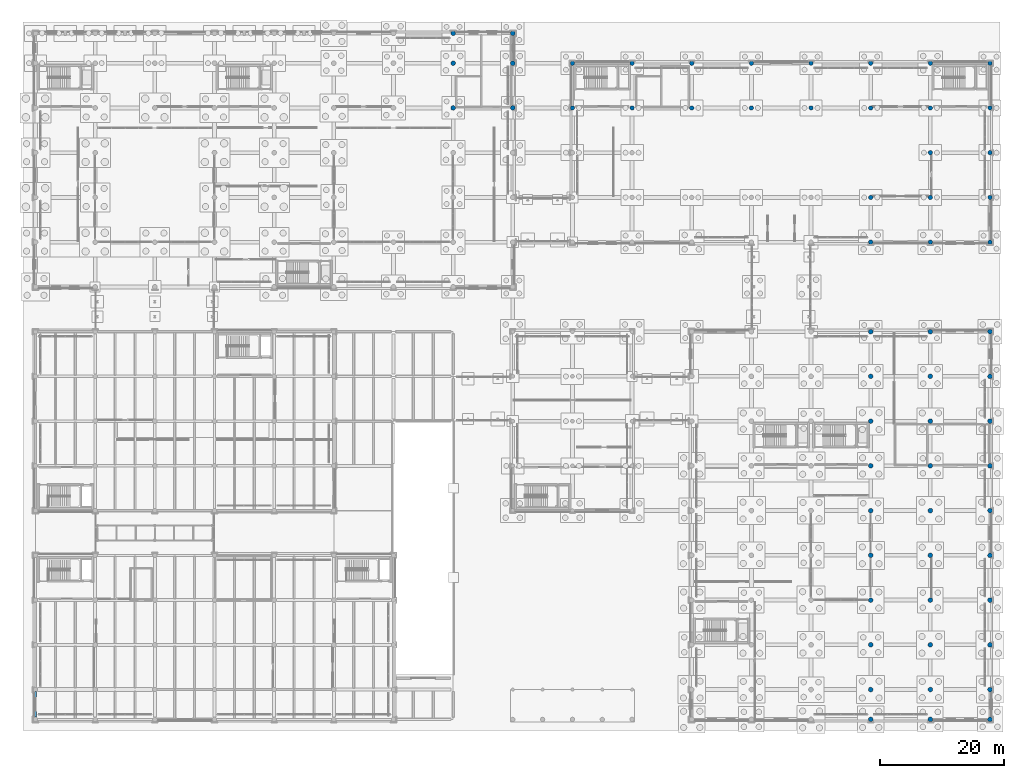
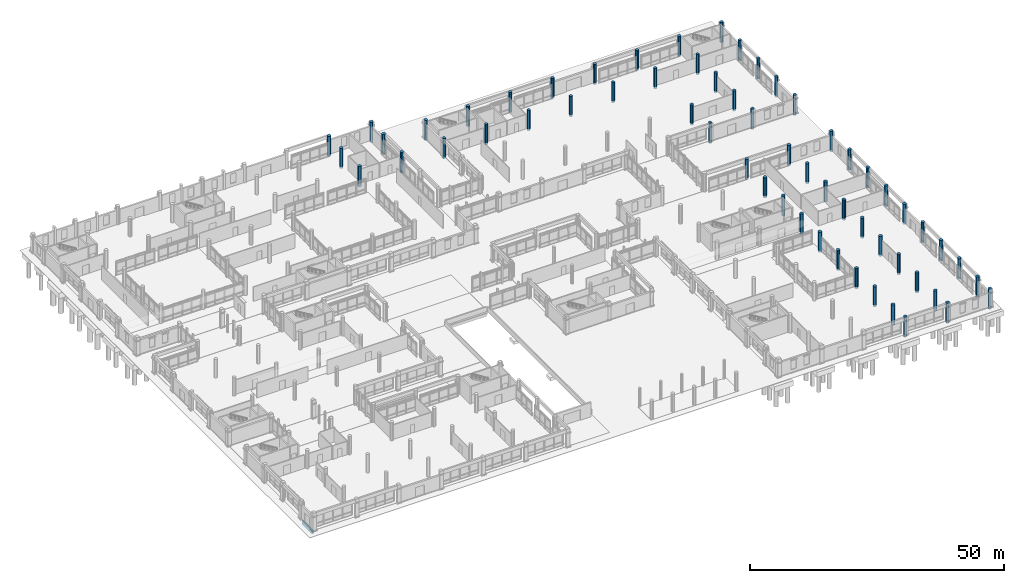
# One storey, part 20 of 196: 60 columns, 1 beam.
"""IFC4 building model written with IfcOpenShell, lengths in metres."""

from ifc_helpers import new_model, si_unit, direction, frame, origin, origin_2d, place, context, subcontext, project, spatial, rectangle, circle, extrude, material, material_profile, profile_set, type_object, element, save


model = new_model("IFC4")

# Units and contexts
model_context = context("Model", 3, precision=1e-05, world=origin(), true_north=direction((0.0, 1.0)))
body_context = subcontext(model_context, "Body", "Model", "MODEL_VIEW")
ifc_project = project(units=[si_unit("LENGTHUNIT", "METRE"), si_unit("AREAUNIT", "SQUARE_METRE"), si_unit("VOLUMEUNIT", "CUBIC_METRE"), si_unit("PLANEANGLEUNIT", "RADIAN"), si_unit("MASSUNIT", "GRAM", prefix="KILO")], contexts=[model_context])

# Site, building, storey
site_placement = place(None, origin())
site = spatial("IfcSite", under=ifc_project, at=site_placement, CompositionType="ELEMENT")
building_placement = place(site_placement, origin())
building = spatial("IfcBuilding", under=site, at=building_placement, Name="Asteropetra Specialist Clinic", CompositionType="ELEMENT")
storey_placement = place(building_placement, origin())
storey = spatial("IfcBuildingStorey", under=building, at=storey_placement, Name="L00", CompositionType="ELEMENT", Elevation=0.0)

# Columns
ifc_material_1 = material(Name="Concrete C35/45", Category="concrete")
ifc_material_profile_1 = material_profile(ifc_material_1, circle(Radius=0.35009765625, at=origin_2d()), Name="RCC D700")
ifc_profile_set_1 = profile_set([ifc_material_profile_1], Name="Concrete C35/45")
column_type_1 = type_object("IfcColumnType", Name="COL-DORIC700", PredefinedType="COLUMN", material=ifc_profile_set_1)
for number, where, z_axis, x_axis, name in (
    (1, (86.39990234375, 98.39990234375, -0.43994140625), (0.0, 0.0, 1.0), (1.0, 0.0, 0.0), "Column CCOL13-0605"),
    (2, (86.39990234375, 105.60009765625, -0.43994140625), (0.0, 0.0, 1.0), (1.0, 0.0, 0.0), "Column CCOL13-0606"),
    (3, (96.0, 98.39990234375, -0.43994140625), (0.0, 0.0, 1.0), (1.0, 0.0, 0.0), "Column CCOL13-0627"),
    (4, (96.0, 105.60009765625, -0.43994140625), (0.0, 0.0, 1.0), (1.0, 0.0, 0.0), "Column CCOL13-0628"),
    (5, (105.60009765625, 98.39990234375, -0.43994140625), (0.0, 0.0, 1.0), (1.0, 0.0, 0.0), "Column CCOL13-0681"),
    (6, (105.60009765625, 105.60009765625, -0.43994140625), (0.0, 0.0, 1.0), (1.0, 0.0, 0.0), "Column CCOL13-0682"),
    (7, (115.199951171875, 98.39990234375, -0.43994140625), (0.0, 0.0, 1.0), (1.0, 0.0, 0.0), "Column CCOL13-0731"),
    (8, (115.199951171875, 105.60009765625, -0.43994140625), (0.0, 0.0, 1.0), (1.0, 0.0, 0.0), "Column CCOL13-0732"),
    (9, (124.800048828125, 98.39990234375, -0.43994140625), (0.0, 0.0, 1.0), (1.0, 0.0, 0.0), "Column CCOL13-0793"),
    (10, (124.800048828125, 105.60009765625, -0.43994140625), (0.0, 0.0, 1.0), (1.0, 0.0, 0.0), "Column CCOL13-0794"),
    (11, (134.39990234375, 76.800048828125, -0.43994140625), (0.0, 0.0, 1.0), (1.0, 0.0, 0.0), "Column CCOL13-0840"),
    (12, (134.39990234375, 84.0, -0.43994140625), (0.0, 0.0, 1.0), (1.0, 0.0, 0.0), "Column CCOL13-0842"),
    (13, (134.39990234375, 98.39990234375, -0.43994140625), (0.0, 0.0, 1.0), (1.0, 0.0, 0.0), "Column CCOL13-0843"),
    (14, (134.39990234375, 105.60009765625, -0.43994140625), (0.0, 0.0, 1.0), (1.0, 0.0, 0.0), "Column CCOL13-0844"),
    (15, (144.0, 76.800048828125, -0.43994140625), (0.0, 0.0, 1.0), (1.0, 0.0, 0.0), "Column CCOL13-0882"),
    (16, (144.0, 84.0, -0.43994140625), (0.0, 0.0, 1.0), (1.0, 0.0, 0.0), "Column CCOL13-0884"),
    (17, (144.0, 91.199951171875, -0.43994140625), (0.0, 0.0, 1.0), (1.0, 0.0, 0.0), "Column CCOL13-0885"),
    (18, (144.0, 98.39990234375, -0.43994140625), (0.0, 0.0, 1.0), (1.0, 0.0, 0.0), "Column CCOL13-0886"),
    (19, (144.0, 105.60009765625, -0.43994140625), (0.0, 0.0, 1.0), (1.0, 0.0, 0.0), "Column CCOL13-0887"),
    (20, (153.60009765625, 76.800048828125, -0.43994140625), (0.0, 0.0, 1.0), (1.0, 0.0, 0.0), "Column CCOL13-0925"),
    (21, (153.60009765625, 84.0, -0.43994140625), (0.0, 0.0, 1.0), (1.0, 0.0, 0.0), "Column CCOL13-0927"),
    (22, (153.60009765625, 91.199951171875, -0.43994140625), (0.0, 0.0, 1.0), (1.0, 0.0, 0.0), "Column CCOL13-0928"),
    (23, (153.60009765625, 98.39990234375, -0.43994140625), (0.0, 0.0, 1.0), (1.0, 0.0, 0.0), "Column CCOL13-0929"),
    (24, (153.60009765625, 105.60009765625, -0.43994140625), (0.0, 0.0, 1.0), (1.0, 0.0, 0.0), "Column CCOL13-0930"),
):
    element("IfcColumn", number, at=place(storey_placement, frame(where, z_axis=z_axis, x_axis=x_axis)), inside=storey, type_object=column_type_1, Name=name, PredefinedType="COLUMN", context=body_context, shape_type="SweptSolid", body=[
        extrude(circle(Radius=0.35009765625, at=origin_2d()), origin(), (0.0, 0.0, 1.0), 4.85986328125),
    ])
ifc_material_2 = material(Name="Concrete C35/45", Category="concrete")
ifc_material_profile_2 = material_profile(ifc_material_2, circle(Radius=0.375, at=origin_2d()), Name="RCC D750")
ifc_profile_set_2 = profile_set([ifc_material_profile_2], Name="Concrete C35/45")
column_type_2 = type_object("IfcColumnType", Name="COL-DORIC750", PredefinedType="COLUMN", material=ifc_profile_set_2)
for number, where, z_axis, x_axis, name in (
    (25, (67.199951171875, 98.39990234375, -0.43994140625), (0.0, 0.0, 1.0), (1.0, 0.0, 0.0), "Column CCOL12-0543"),
    (26, (67.199951171875, 105.60009765625, -0.43994140625), (0.0, 0.0, 1.0), (1.0, 0.0, 0.0), "Column CCOL12-0545"),
    (27, (67.199951171875, 110.39990234375, -0.43994140625), (0.0, 0.0, 1.0), (1.0, 0.0, 0.0), "Column CCOL12-0547"),
    (28, (76.800048828125, 98.39990234375, -0.43994140625), (0.0, 0.0, 1.0), (1.0, 0.0, 0.0), "Column CCOL12-0572"),
    (29, (76.800048828125, 105.60009765625, -0.43994140625), (0.0, 0.0, 1.0), (1.0, 0.0, 0.0), "Column CCOL12-0574"),
    (30, (76.800048828125, 110.39990234375, -0.43994140625), (0.0, 0.0, 1.0), (1.0, 0.0, 0.0), "Column CCOL12-0576"),
    (31, (134.39990234375, 0.0, -0.43994140625), (0.0, 0.0, 1.0), (1.0, 0.0, 0.0), "Column CCOL12-0796"),
    (32, (134.39990234375, 4.800048828125, -0.43994140625), (0.0, 0.0, 1.0), (1.0, 0.0, 0.0), "Column CCOL12-0801"),
    (33, (134.39990234375, 12.0, -0.43994140625), (0.0, 0.0, 1.0), (1.0, 0.0, 0.0), "Column CCOL12-0806"),
    (34, (134.39990234375, 19.199951171875, -0.43994140625), (0.0, 0.0, 1.0), (1.0, 0.0, 0.0), "Column CCOL12-0811"),
    (35, (134.39990234375, 26.39990234375, -0.43994140625), (0.0, 0.0, 1.0), (1.0, 0.0, 0.0), "Column CCOL12-0816"),
    (36, (134.39990234375, 33.60009765625, -0.43994140625), (0.0, 0.0, 1.0), (1.0, 0.0, 0.0), "Column CCOL12-0821"),
    (37, (134.39990234375, 40.800048828125, -0.43994140625), (0.0, 0.0, 1.0), (1.0, 0.0, 0.0), "Column CCOL12-0826"),
    (38, (134.39990234375, 48.0, -0.43994140625), (0.0, 0.0, 1.0), (1.0, 0.0, 0.0), "Column CCOL12-0831"),
    (39, (134.39990234375, 55.199951171875, -0.43994140625), (0.0, 0.0, 1.0), (1.0, 0.0, 0.0), "Column CCOL12-0836"),
    (40, (134.39990234375, 62.39990234375, -0.43994140625), (0.0, 0.0, 1.0), (1.0, 0.0, 0.0), "Column CCOL12-0838"),
    (41, (144.0, 0.0, -0.43994140625), (0.0, 0.0, 1.0), (1.0, 0.0, 0.0), "Column CCOL12-0846"),
    (42, (144.0, 4.800048828125, -0.43994140625), (0.0, 0.0, 1.0), (1.0, 0.0, 0.0), "Column CCOL12-0850"),
    (43, (144.0, 12.0, -0.43994140625), (0.0, 0.0, 1.0), (1.0, 0.0, 0.0), "Column CCOL12-0854"),
    (44, (144.0, 19.199951171875, -0.43994140625), (0.0, 0.0, 1.0), (1.0, 0.0, 0.0), "Column CCOL12-0858"),
    (45, (144.0, 26.39990234375, -0.43994140625), (0.0, 0.0, 1.0), (1.0, 0.0, 0.0), "Column CCOL12-0862"),
    (46, (144.0, 33.60009765625, -0.43994140625), (0.0, 0.0, 1.0), (1.0, 0.0, 0.0), "Column CCOL12-0866"),
    (47, (144.0, 40.800048828125, -0.43994140625), (0.0, 0.0, 1.0), (1.0, 0.0, 0.0), "Column CCOL12-0870"),
    (48, (144.0, 48.0, -0.43994140625), (0.0, 0.0, 1.0), (1.0, 0.0, 0.0), "Column CCOL12-0874"),
    (49, (144.0, 55.199951171875, -0.43994140625), (0.0, 0.0, 1.0), (1.0, 0.0, 0.0), "Column CCOL12-0878"),
    (50, (144.0, 62.39990234375, -0.43994140625), (0.0, 0.0, 1.0), (1.0, 0.0, 0.0), "Column CCOL12-0880"),
    (51, (153.60009765625, 0.0, -0.43994140625), (0.0, 0.0, 1.0), (1.0, 0.0, 0.0), "Column CCOL12-0889"),
    (52, (153.60009765625, 4.800048828125, -0.43994140625), (0.0, 0.0, 1.0), (1.0, 0.0, 0.0), "Column CCOL12-0893"),
    (53, (153.60009765625, 12.0, -0.43994140625), (0.0, 0.0, 1.0), (1.0, 0.0, 0.0), "Column CCOL12-0897"),
    (54, (153.60009765625, 19.199951171875, -0.43994140625), (0.0, 0.0, 1.0), (1.0, 0.0, 0.0), "Column CCOL12-0901"),
    (55, (153.60009765625, 26.39990234375, -0.43994140625), (0.0, 0.0, 1.0), (1.0, 0.0, 0.0), "Column CCOL12-0905"),
    (56, (153.60009765625, 33.60009765625, -0.43994140625), (0.0, 0.0, 1.0), (1.0, 0.0, 0.0), "Column CCOL12-0909"),
    (57, (153.60009765625, 40.800048828125, -0.43994140625), (0.0, 0.0, 1.0), (1.0, 0.0, 0.0), "Column CCOL12-0913"),
    (58, (153.60009765625, 48.0, -0.43994140625), (0.0, 0.0, 1.0), (1.0, 0.0, 0.0), "Column CCOL12-0917"),
    (59, (153.60009765625, 55.199951171875, -0.43994140625), (0.0, 0.0, 1.0), (1.0, 0.0, 0.0), "Column CCOL12-0921"),
    (60, (153.60009765625, 62.39990234375, -0.43994140625), (0.0, 0.0, 1.0), (1.0, 0.0, 0.0), "Column CCOL12-0923"),
):
    element("IfcColumn", number, at=place(storey_placement, frame(where, z_axis=z_axis, x_axis=x_axis)), inside=storey, type_object=column_type_2, Name=name, PredefinedType="COLUMN", context=body_context, shape_type="SweptSolid", body=[
        extrude(circle(Radius=0.375, at=origin_2d()), origin(), (0.0, 0.0, 1.0), 4.85986328125),
    ])

# Beam
ifc_material_3 = material(Name="Concrete C35/45", Category="concrete")
ifc_material_profile_3 = material_profile(ifc_material_3, rectangle(XDim=0.35009765625, YDim=0.75, at=origin_2d()), Name="RCS 350x750")
ifc_profile_set_3 = profile_set([ifc_material_profile_3], Name="Concrete C35/45")
beam_type = type_object("IfcBeamType", Name="SPN-RC350x750", PredefinedType="SPANDREL", material=ifc_profile_set_3)
beam_placement = place(storey_placement, frame((0.0, 0.35009765625, -0.715087890625), z_axis=(0.0, 1.0, 0.0), x_axis=(-1.0, 0.0, 0.0)))
element("IfcBeam", 61, at=beam_placement, inside=storey, type_object=beam_type, Name="Beam BSPN01-0031", PredefinedType="SPANDREL", context=body_context, shape_type="SweptSolid", body=[
    extrude(rectangle(XDim=0.35009765625, YDim=0.75, at=origin_2d()), origin(), (0.0, 0.0, 1.0), 4.099853515625),
])

save(model, "model.ifc")
